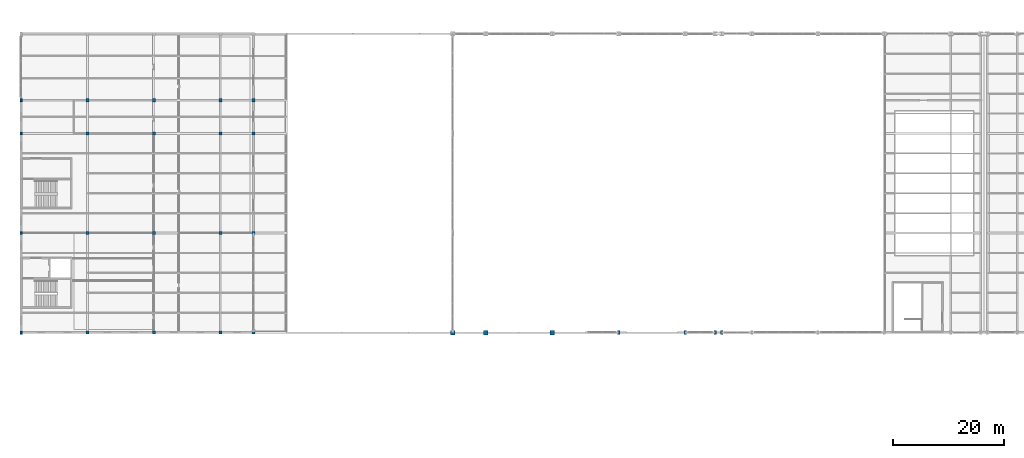
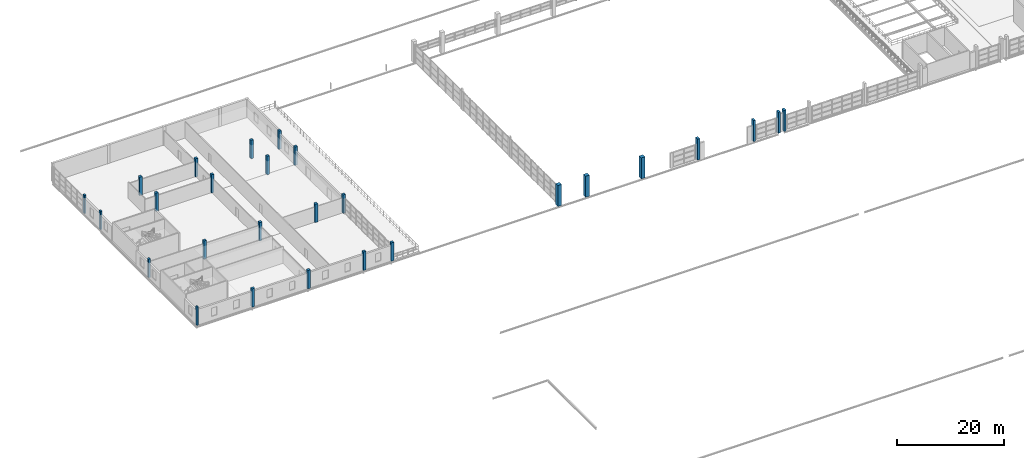
# One storey, part 1 of 86: 27 columns.
"""IFC4 building model written with IfcOpenShell, lengths in metres."""

from ifc_helpers import new_model, si_unit, direction, frame, origin, origin_2d, place, context, subcontext, project, spatial, rectangle, extrude, material, material_profile, profile_set, type_object, element, save


model = new_model("IFC4")

# Units and contexts
model_context = context("Model", 3, precision=1e-05, world=origin(), true_north=direction((0.0, 1.0)))
body_context = subcontext(model_context, "Body", "Model", "MODEL_VIEW")
ifc_project = project(units=[si_unit("LENGTHUNIT", "METRE"), si_unit("AREAUNIT", "SQUARE_METRE"), si_unit("VOLUMEUNIT", "CUBIC_METRE"), si_unit("PLANEANGLEUNIT", "RADIAN"), si_unit("MASSUNIT", "GRAM", prefix="KILO")], contexts=[model_context])

# Site, building, storey
site_placement = place(None, origin())
site = spatial("IfcSite", under=ifc_project, at=site_placement, CompositionType="ELEMENT")
building_placement = place(site_placement, origin())
building = spatial("IfcBuilding", under=site, at=building_placement, Name="Zilviju Railside Exhibition Hall", CompositionType="ELEMENT")
storey_placement = place(building_placement, frame((0.0, 0.0, 12.60009765625)))
storey = spatial("IfcBuildingStorey", under=building, at=storey_placement, Name="L04", CompositionType="ELEMENT", Elevation=12.60009765625)

# Columns
ifc_material_1 = material(Name="Concrete C35/45", Category="concrete")
ifc_material_profile_1 = material_profile(ifc_material_1, rectangle(XDim=0.550048828125, YDim=0.550048828125, at=origin_2d()), Name="RC COL 550x550")
ifc_profile_set_1 = profile_set([ifc_material_profile_1], Name="Concrete C35/45")
column_type_1 = type_object("IfcColumnType", Name="COL-RC-550", PredefinedType="COLUMN", material=ifc_profile_set_1)
for number, where, z_axis, x_axis, name in (
    (1, (12.0, 84.0, 0.0), (0.0, 0.0, 1.0), (1.0, 0.0, 0.0), "Structural Column L04 (12.0, 84.0)"),
    (2, (24.0, 84.0, 0.0), (0.0, 0.0, 1.0), (1.0, 0.0, 0.0), "Structural Column L04 (24.0, 84.0)"),
    (3, (36.0, 84.0, 0.0), (0.0, 0.0, 1.0), (1.0, 0.0, 0.0), "Structural Column L04 (36.0, 84.0)"),
    (4, (42.0, 84.0, 0.0), (0.0, 0.0, 1.0), (1.0, 0.0, 0.0), "Structural Column L04 (42.0, 84.0)"),
    (5, (12.0, 102.0, 0.0), (0.0, 0.0, 1.0), (1.0, 0.0, 0.0), "Structural Column L04 (12.0, 102.0)"),
    (6, (24.0, 102.0, 0.0), (0.0, 0.0, 1.0), (1.0, 0.0, 0.0), "Structural Column L04 (24.0, 102.0)"),
    (7, (36.0, 102.0, 0.0), (0.0, 0.0, 1.0), (1.0, 0.0, 0.0), "Structural Column L04 (36.0, 102.0)"),
    (8, (42.0, 102.0, 0.0), (0.0, 0.0, 1.0), (1.0, 0.0, 0.0), "Structural Column L04 (42.0, 102.0)"),
    (9, (12.0, 120.0, 0.0), (0.0, 0.0, 1.0), (1.0, 0.0, 0.0), "Structural Column L04 (12.0, 120.0)"),
    (10, (24.0, 120.0, 0.0), (0.0, 0.0, 1.0), (1.0, 0.0, 0.0), "Structural Column L04 (24.0, 120.0)"),
    (11, (36.0, 120.0, 0.0), (0.0, 0.0, 1.0), (1.0, 0.0, 0.0), "Structural Column L04 (36.0, 120.0)"),
    (12, (42.0, 120.0, 0.0), (0.0, 0.0, 1.0), (1.0, 0.0, 0.0), "Structural Column L04 (42.0, 120.0)"),
    (13, (12.0, 126.0, 0.0), (0.0, 0.0, 1.0), (1.0, 0.0, 0.0), "Structural Column L04 (12.0, 126.0)"),
    (14, (24.0, 126.0, 0.0), (0.0, 0.0, 1.0), (1.0, 0.0, 0.0), "Structural Column L04 (24.0, 126.0)"),
    (15, (36.0, 126.0, 0.0), (0.0, 0.0, 1.0), (1.0, 0.0, 0.0), "Structural Column L04 (36.0, 126.0)"),
    (16, (42.0, 126.0, 0.0), (0.0, 0.0, 1.0), (1.0, 0.0, 0.0), "Structural Column L04 (42.0, 126.0)"),
):
    element("IfcColumn", number, at=place(storey_placement, frame(where, z_axis=z_axis, x_axis=x_axis)), inside=storey, type_object=column_type_1, Name=name, PredefinedType="COLUMN", context=body_context, shape_type="SweptSolid", body=[
        extrude(rectangle(XDim=0.550048828125, YDim=0.550048828125, at=origin_2d()), origin(), (0.0, 0.0, 1.0), 4.199951171875),
    ])
ifc_material_2 = material(Name="Concrete C40/50", Category="concrete")
ifc_material_profile_2 = material_profile(ifc_material_2, rectangle(XDim=0.800048828125, YDim=0.800048828125, at=origin_2d()), Name="RC COL 800x800")
ifc_profile_set_2 = profile_set([ifc_material_profile_2], Name="Concrete C40/50")
column_type_2 = type_object("IfcColumnType", Name="COL-RC-800", PredefinedType="COLUMN", material=ifc_profile_set_2)
for number, where, z_axis, x_axis, name in (
    (17, (78.0, 84.0, 0.0), (0.0, 0.0, 1.0), (1.0, 0.0, 0.0), "Structural Column L04 (78.0, 84.0)"),
    (18, (84.0, 84.0, 0.0), (0.0, 0.0, 1.0), (1.0, 0.0, 0.0), "Structural Column L04 (84.0, 84.0)"),
    (19, (96.0, 84.0, 0.0), (0.0, 0.0, 1.0), (1.0, 0.0, 0.0), "Structural Column L04 (96.0, 84.0)"),
):
    element("IfcColumn", number, at=place(storey_placement, frame(where, z_axis=z_axis, x_axis=x_axis)), inside=storey, type_object=column_type_2, Name=name, PredefinedType="COLUMN", context=body_context, shape_type="SweptSolid", body=[
        extrude(rectangle(XDim=0.800048828125, YDim=0.800048828125, at=origin_2d()), origin(), (0.0, 0.0, 1.0), 4.7998046875),
    ])
ifc_material_profile_3 = material_profile(ifc_material_1, rectangle(XDim=0.35009765625, YDim=0.5, at=origin_2d()), Name="RC COL 350x500")
ifc_profile_set_3 = profile_set([ifc_material_profile_3], Name="Concrete C35/45")
column_type_3 = type_object("IfcColumnType", Name="PIL-RC-500x350", PredefinedType="PILASTER", material=ifc_profile_set_3)
for number, where, z_axis, x_axis, name in (
    (20, (0.0, 84.0, 0.0), (0.0, 0.0, 1.0), (1.0, 0.0, 0.0), "Structural Column L04 (0.0, 84.0)"),
    (21, (0.0, 102.0, 0.0), (0.0, 0.0, 1.0), (1.0, 0.0, 0.0), "Structural Column L04 (0.0, 102.0)"),
    (22, (0.0, 120.0, 0.0), (0.0, 0.0, 1.0), (1.0, 0.0, 0.0), "Structural Column L04 (0.0, 120.0)"),
    (23, (0.0, 126.0, 0.0), (0.0, 0.0, 1.0), (1.0, 0.0, 0.0), "Structural Column L04 (0.0, 126.0)"),
):
    element("IfcColumn", number, at=place(storey_placement, frame(where, z_axis=z_axis, x_axis=x_axis)), inside=storey, type_object=column_type_3, Name=name, PredefinedType="PILASTER", context=body_context, shape_type="SweptSolid", body=[
        extrude(rectangle(XDim=0.35009765625, YDim=0.5, at=origin_2d()), origin(), (0.0, 0.0, 1.0), 4.199951171875),
    ])
ifc_material_profile_4 = material_profile(ifc_material_2, rectangle(XDim=0.449951171875, YDim=0.75, at=origin_2d()), Name="RC COL 450x750")
ifc_profile_set_4 = profile_set([ifc_material_profile_4], Name="Concrete C40/50")
column_type_4 = type_object("IfcColumnType", Name="PIL-RC-750x450", PredefinedType="PILASTER", material=ifc_profile_set_4)
for number, where, z_axis, x_axis, name in (
    (24, (108.0, 84.0, 0.0), (0.0, 0.0, 1.0), (1.0, 0.0, 0.0), "Structural Column L04 (108.0, 84.0)"),
    (25, (120.0, 84.0, 0.0), (0.0, 0.0, 1.0), (1.0, 0.0, 0.0), "Structural Column L04 (120.0, 84.0)"),
    (26, (125.39990234375, 84.0, 0.0), (0.0, 0.0, 1.0), (1.0, 0.0, 0.0), "Structural Column L04 (125.4, 84.0)"),
    (27, (126.60009765625, 84.0, 0.0), (0.0, 0.0, 1.0), (1.0, 0.0, 0.0), "Structural Column L04 (126.6, 84.0)"),
):
    element("IfcColumn", number, at=place(storey_placement, frame(where, z_axis=z_axis, x_axis=x_axis)), inside=storey, type_object=column_type_4, Name=name, PredefinedType="PILASTER", context=body_context, shape_type="SweptSolid", body=[
        extrude(rectangle(XDim=0.449951171875, YDim=0.75, at=origin_2d()), origin(), (0.0, 0.0, 1.0), 4.7998046875),
    ])

save(model, "model.ifc")
